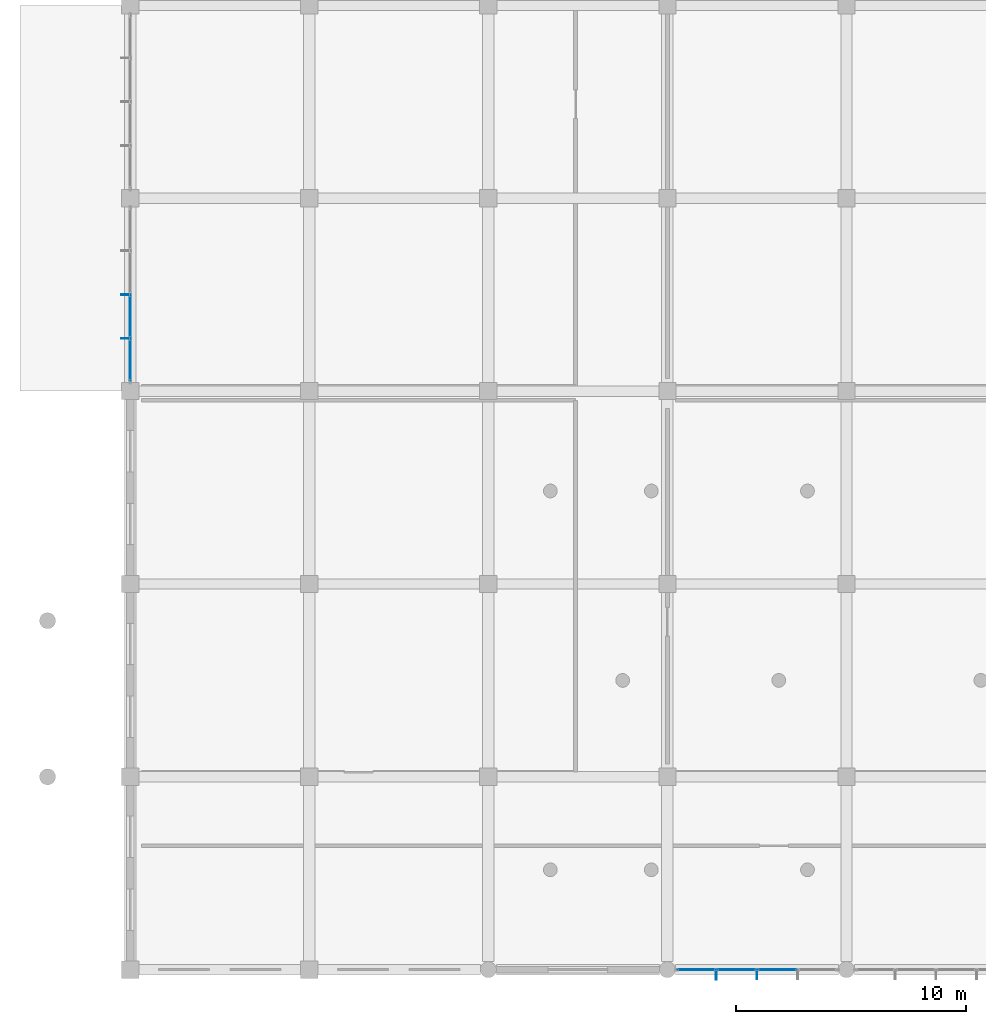
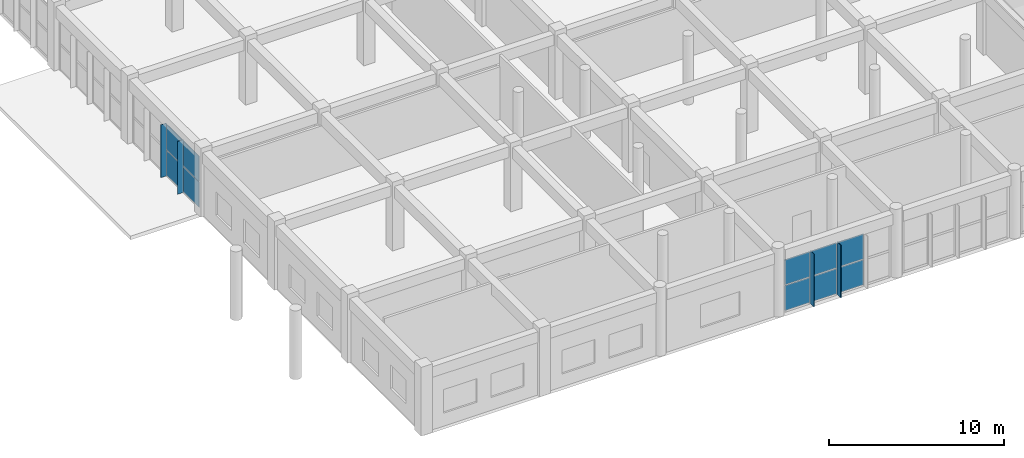
# One storey, part 131 of 175: 14 plates, 2 elements without a shape of their own.
"""IFC4 building model written with IfcOpenShell, lengths in metres."""

from ifc_helpers import new_model, si_unit, direction, frame, origin, origin_2d, place, context, subcontext, project, spatial, polyline, rectangle, outline, extrude, material, layer, layer_set, type_object, element, aggregate, save


model = new_model("IFC4")

# Units and contexts
model_context = context("Model", 3, precision=1e-05, world=origin(), true_north=direction((0.0, 1.0)))
body_context = subcontext(model_context, "Body", "Model", "MODEL_VIEW")
ifc_project = project(units=[si_unit("LENGTHUNIT", "METRE"), si_unit("AREAUNIT", "SQUARE_METRE"), si_unit("VOLUMEUNIT", "CUBIC_METRE"), si_unit("PLANEANGLEUNIT", "RADIAN"), si_unit("MASSUNIT", "GRAM", prefix="KILO")], contexts=[model_context])

# Site, building, storey
site_placement = place(None, origin())
site = spatial("IfcSite", under=ifc_project, at=site_placement, CompositionType="ELEMENT")
building_placement = place(site_placement, origin())
building = spatial("IfcBuilding", under=site, at=building_placement, Name="Zizhar Promenade General Hospital", CompositionType="ELEMENT")
storey_placement = place(building_placement, frame((0.0, 0.0, 4.800048828125)))
storey = spatial("IfcBuildingStorey", under=building, at=storey_placement, Name="L01", CompositionType="ELEMENT", Elevation=4.800048828125)

# Curtain wall, plates
ifc_material_1 = material(Name="Anodised aluminium 6063-T6 and low-E glass", Category="aluminium")
ifc_layer_1 = layer(ifc_material_1, 0.159912109375)
ifc_layer_set_1 = layer_set([ifc_layer_1], Name="Anodised aluminium 6063-T6 and low-E glass")
curtain_wall_type_1 = type_object("IfcCurtainWallType", Name="CW-DT-MOD1", PredefinedType="NOTDEFINED", material=ifc_layer_set_1)
curtain_wall_1_placement = place(storey_placement, origin())
curtain_wall_1 = element("IfcCurtainWall", 1, at=curtain_wall_1_placement, inside=storey, type_object=curtain_wall_type_1, Name="Riverfront Clinical Curtain Wall L01-2", PredefinedType="NOTDEFINED")
ifc_material_2 = material(Name="Low-E solar-control glass", Category="glass")
ifc_layer_2 = layer(ifc_material_2, 0.031982421875)
ifc_layer_set_2 = layer_set([ifc_layer_2], Name="Low-E solar-control glass")
plate_type_1 = type_object("IfcPlateType", Name="CWP-GLZ-32", PredefinedType="CURTAIN_PANEL", material=ifc_layer_set_2)
plate_1_placement = place(storey_placement, frame((28.18505859375, 0.0, 0.06005859375), z_axis=(0.0, 0.0, 1.0), x_axis=(-1.0, 0.0, 0.0)))
plate_1 = element("IfcPlate", 2, at=plate_1_placement, type_object=plate_type_1, Name="CW-07 panel 2.1", PredefinedType="CURTAIN_PANEL", context=body_context, shape_type="SweptSolid", body=[
    extrude(rectangle(XDim=1.68994140625, YDim=0.031982421875, at=origin_2d()), origin(), (0.0, 0.0, 1.0), 1.75),
])
plate_2_placement = place(storey_placement, frame((28.18505859375, 0.0, 1.869873046875), z_axis=(0.0, 0.0, 1.0), x_axis=(-1.0, 0.0, 0.0)))
plate_2 = element("IfcPlate", 3, at=plate_2_placement, type_object=plate_type_1, Name="CW-07 panel 2.2", PredefinedType="CURTAIN_PANEL", context=body_context, shape_type="SweptSolid", body=[
    extrude(rectangle(XDim=1.68994140625, YDim=0.031982421875, at=origin_2d()), origin(), (0.0, 0.0, 1.0), 1.75),
])
plate_3_placement = place(storey_placement, frame((26.4150390625, 0.0, 0.06005859375), z_axis=(0.0, 0.0, 1.0), x_axis=(-1.0, 0.0, 0.0)))
plate_3 = element("IfcPlate", 4, at=plate_3_placement, type_object=plate_type_1, Name="CW-07 panel 3.1", PredefinedType="CURTAIN_PANEL", context=body_context, shape_type="SweptSolid", body=[
    extrude(rectangle(XDim=1.68994140625, YDim=0.031982421875, at=origin_2d()), origin(), (0.0, 0.0, 1.0), 1.75),
])
plate_4_placement = place(storey_placement, frame((26.4150390625, 0.0, 1.869873046875), z_axis=(0.0, 0.0, 1.0), x_axis=(-1.0, 0.0, 0.0)))
plate_4 = element("IfcPlate", 5, at=plate_4_placement, type_object=plate_type_1, Name="CW-07 panel 3.2", PredefinedType="CURTAIN_PANEL", context=body_context, shape_type="SweptSolid", body=[
    extrude(rectangle(XDim=1.68994140625, YDim=0.031982421875, at=origin_2d()), origin(), (0.0, 0.0, 1.0), 1.75),
])
plate_5_placement = place(storey_placement, frame((24.6650390625, 0.0, 0.06005859375), z_axis=(0.0, 0.0, 1.0), x_axis=(-1.0, 0.0, 0.0)))
plate_5 = element("IfcPlate", 6, at=plate_5_placement, type_object=plate_type_1, Name="CW-07 panel 4.1", PredefinedType="CURTAIN_PANEL", context=body_context, shape_type="SweptSolid", body=[
    extrude(rectangle(XDim=1.64990234375, YDim=0.031982421875, at=origin_2d()), origin(), (0.0, 0.0, 1.0), 1.75),
])
plate_6_placement = place(storey_placement, frame((24.6650390625, 0.0, 1.869873046875), z_axis=(0.0, 0.0, 1.0), x_axis=(-1.0, 0.0, 0.0)))
plate_6 = element("IfcPlate", 7, at=plate_6_placement, type_object=plate_type_1, Name="CW-07 panel 4.2", PredefinedType="CURTAIN_PANEL", context=body_context, shape_type="SweptSolid", body=[
    extrude(rectangle(XDim=1.64990234375, YDim=0.031982421875, at=origin_2d()), origin(), (0.0, 0.0, 1.0), 1.75),
])
aggregate(curtain_wall_1, [plate_1, plate_2, plate_3, plate_4, plate_5, plate_6])

ifc_material_3 = material(Name="Anodised aluminium 6063-T6 and low-E glass", Category="aluminium")
ifc_layer_3 = layer(ifc_material_3, 0.159912109375)
ifc_layer_set_3 = layer_set([ifc_layer_3], Name="Anodised aluminium 6063-T6 and low-E glass")
curtain_wall_type_2 = type_object("IfcCurtainWallType", Name="CW-ED-FRONT", PredefinedType="NOTDEFINED", material=ifc_layer_set_3)
curtain_wall_2_placement = place(storey_placement, origin())
curtain_wall_2 = element("IfcCurtainWall", 8, at=curtain_wall_2_placement, inside=storey, type_object=curtain_wall_type_2, Name="West Diagnostic Arm Glazed Curtain Wall L01-W3", PredefinedType="NOTDEFINED")
plate_7_placement = place(storey_placement, frame((0.0, 26.554931640625, 0.06005859375), z_axis=(0.0, 0.0, 1.0), x_axis=(0.0, 1.0, 0.0)))
plate_7 = element("IfcPlate", 9, at=plate_7_placement, type_object=plate_type_1, Name="CW-06 panel 1.1", PredefinedType="CURTAIN_PANEL", context=body_context, shape_type="SweptSolid", body=[
    extrude(rectangle(XDim=1.7900390625, YDim=0.031982421875, at=origin_2d()), origin(), (0.0, 0.0, 1.0), 1.75),
])
plate_8_placement = place(storey_placement, frame((0.0, 26.554931640625, 1.869873046875), z_axis=(0.0, 0.0, 1.0), x_axis=(0.0, 1.0, 0.0)))
plate_8 = element("IfcPlate", 10, at=plate_8_placement, type_object=plate_type_1, Name="CW-06 panel 1.2", PredefinedType="CURTAIN_PANEL", context=body_context, shape_type="SweptSolid", body=[
    extrude(rectangle(XDim=1.7900390625, YDim=0.031982421875, at=origin_2d()), origin(), (0.0, 0.0, 1.0), 1.75),
])
plate_9_placement = place(storey_placement, frame((0.0, 28.445068359375, 0.06005859375), z_axis=(0.0, 0.0, 1.0), x_axis=(0.0, 1.0, 0.0)))
plate_9 = element("IfcPlate", 11, at=plate_9_placement, type_object=plate_type_1, Name="CW-06 panel 2.1", PredefinedType="CURTAIN_PANEL", context=body_context, shape_type="SweptSolid", body=[
    extrude(rectangle(XDim=1.830078125, YDim=0.031982421875, at=origin_2d()), origin(), (0.0, 0.0, 1.0), 1.75),
])
plate_10_placement = place(storey_placement, frame((0.0, 28.445068359375, 1.869873046875), z_axis=(0.0, 0.0, 1.0), x_axis=(0.0, 1.0, 0.0)))
plate_10 = element("IfcPlate", 12, at=plate_10_placement, type_object=plate_type_1, Name="CW-06 panel 2.2", PredefinedType="CURTAIN_PANEL", context=body_context, shape_type="SweptSolid", body=[
    extrude(rectangle(XDim=1.830078125, YDim=0.031982421875, at=origin_2d()), origin(), (0.0, 0.0, 1.0), 1.75),
])
aggregate(curtain_wall_2, [plate_7, plate_8, plate_9, plate_10])

# Plates
ifc_material_4 = material(Name="Anodised aluminium 6063-T6", Category="aluminium")
ifc_layer_4 = layer(ifc_material_4, 0.035888671875)
ifc_layer_set_4 = layer_set([ifc_layer_4], Name="Anodised aluminium 6063-T6")
plate_type_2 = type_object("IfcPlateType", Name="FIN-ALU-380", PredefinedType="USERDEFINED", material=ifc_layer_set_4)
plate_11_placement = place(storey_placement, origin())
element("IfcPlate", 13, at=plate_11_placement, inside=storey, type_object=plate_type_2, Name="West Diagnostic Arm Glazed Curtain Wall L01-W3 Solar Fin 1", ObjectType="SOLAR_SHADE", PredefinedType="USERDEFINED", context=body_context, shape_type="SweptSolid", body=[
    extrude(outline(polyline([(0.0, 27.471923828125), (0.0, 27.508056640625), (-0.3798828125, 27.508056640625), (-0.3798828125, 27.471923828125), (0.0, 27.471923828125)])), origin(), (0.0, 0.0, 1.0), 3.679931640625),
])
plate_12_placement = place(storey_placement, origin())
element("IfcPlate", 14, at=plate_12_placement, inside=storey, type_object=plate_type_2, Name="West Diagnostic Arm Glazed Curtain Wall L01-W3 Solar Fin 2", ObjectType="SOLAR_SHADE", PredefinedType="USERDEFINED", context=body_context, shape_type="SweptSolid", body=[
    extrude(outline(polyline([(0.0, 29.382080078125), (0.0, 29.41796875), (-0.3798828125, 29.41796875), (-0.3798828125, 29.382080078125), (0.0, 29.382080078125)])), origin(), (0.0, 0.0, 1.0), 3.679931640625),
])
ifc_material_5 = material(Name="Anodised aluminium 6063-T6", Category="aluminium")
ifc_layer_5 = layer(ifc_material_5, 0.0400390625)
ifc_layer_set_5 = layer_set([ifc_layer_5], Name="Anodised aluminium 6063-T6")
plate_type_3 = type_object("IfcPlateType", Name="FIN-ALU-450", PredefinedType="USERDEFINED", material=ifc_layer_set_5)
plate_13_placement = place(storey_placement, origin())
element("IfcPlate", 15, at=plate_13_placement, inside=storey, type_object=plate_type_3, Name="Riverfront Clinical Curtain Wall L01-2 Solar Fin 2", ObjectType="SOLAR_SHADE", PredefinedType="USERDEFINED", context=body_context, shape_type="SweptSolid", body=[
    extrude(outline(polyline([(27.320068359375, 0.0), (27.280029296875, 0.0), (27.280029296875, -0.449951171875), (27.320068359375, -0.449951171875), (27.320068359375, 0.0)])), origin(), (0.0, 0.0, 1.0), 3.679931640625),
])
plate_14_placement = place(storey_placement, origin())
element("IfcPlate", 16, at=plate_14_placement, inside=storey, type_object=plate_type_3, Name="Riverfront Clinical Curtain Wall L01-2 Solar Fin 3", ObjectType="SOLAR_SHADE", PredefinedType="USERDEFINED", context=body_context, shape_type="SweptSolid", body=[
    extrude(outline(polyline([(25.550048828125, 0.0), (25.510009765625, 0.0), (25.510009765625, -0.449951171875), (25.550048828125, -0.449951171875), (25.550048828125, 0.0)])), origin(), (0.0, 0.0, 1.0), 3.679931640625),
])

save(model, "model.ifc")
